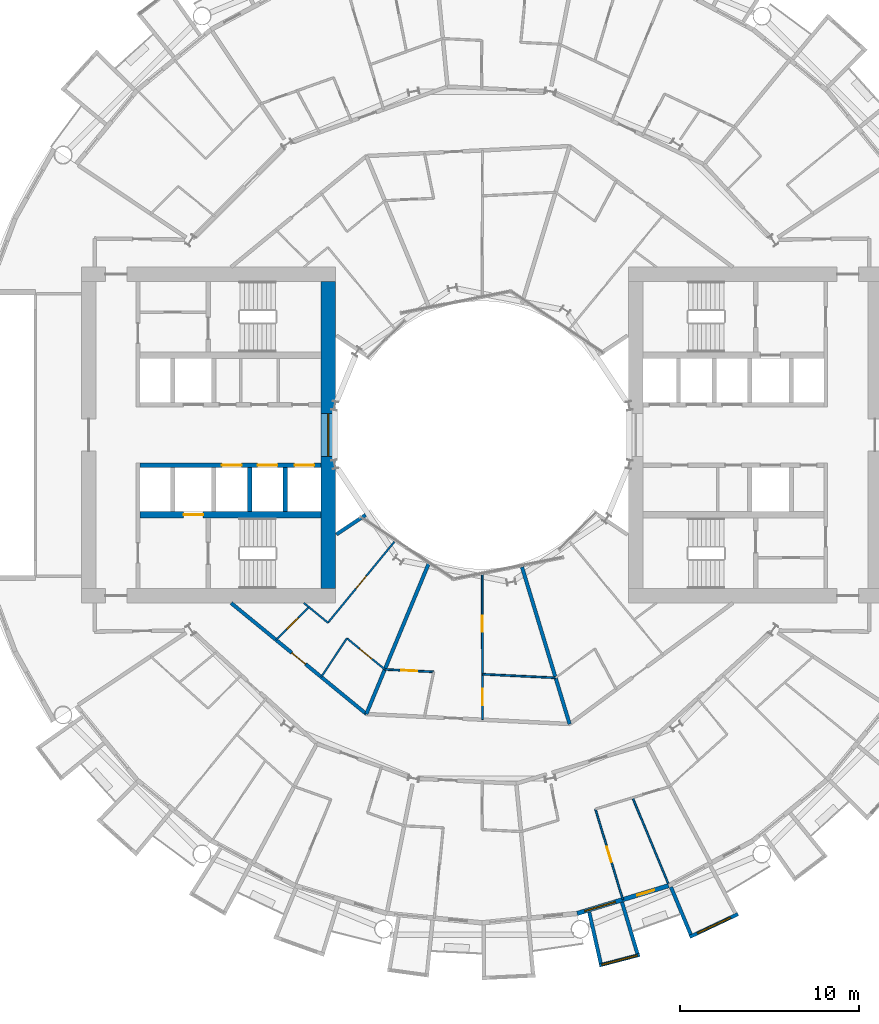
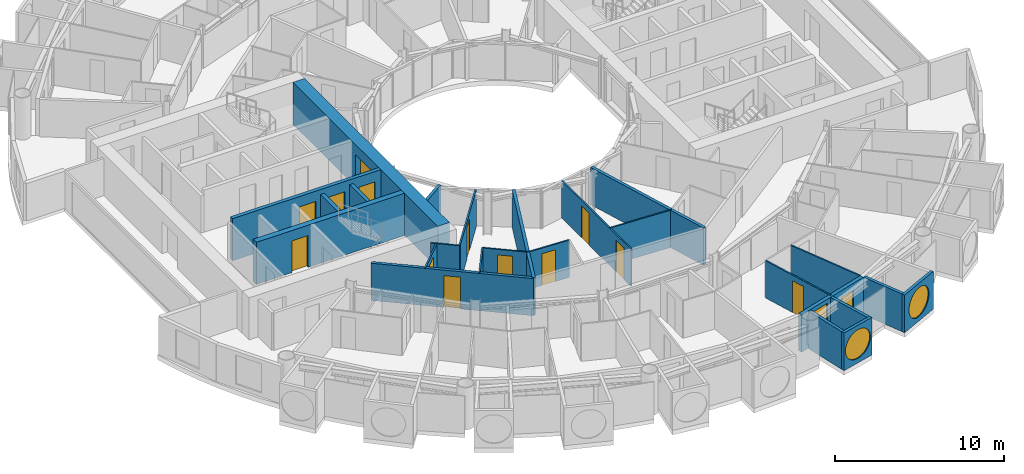
# One storey, part 15 of 26: 25 walls, 13 doors, 4 windows, 17 openings.
"""IFC4 building model written with IfcOpenShell, lengths in metres."""

from ifc_helpers import new_model, si_unit, direction, frame, frame_2d, origin, place, context, subcontext, project, spatial, rectangle, circle, extrude, material, layer, layer_set, type_object, element, fill, save


model = new_model("IFC4")

# Units and contexts
model_context = context("Model", 3, precision=1e-05, world=origin(), true_north=direction((0.0, 1.0)))
body_context = subcontext(model_context, "Body", "Model", "MODEL_VIEW")
ifc_project = project(units=[si_unit("LENGTHUNIT", "METRE"), si_unit("AREAUNIT", "SQUARE_METRE"), si_unit("VOLUMEUNIT", "CUBIC_METRE"), si_unit("PLANEANGLEUNIT", "RADIAN"), si_unit("MASSUNIT", "GRAM", prefix="KILO")], contexts=[model_context])

# Site, building, storey
site_placement = place(None, origin())
site = spatial("IfcSite", under=ifc_project, at=site_placement, CompositionType="ELEMENT")
building_placement = place(site_placement, origin())
building = spatial("IfcBuilding", under=site, at=building_placement, Name="Maasbend Ring Residences", CompositionType="ELEMENT")
storey_placement = place(building_placement, frame((0.0, 0.0, 44.14990234375)))
storey = spatial("IfcBuildingStorey", under=building, at=storey_placement, Name="L12", CompositionType="ELEMENT", Elevation=44.14990234375)

# Wall, openings, doors
ifc_material_1 = material(Name="Concrete C70/85", Category="concrete")
ifc_layer_1 = layer(ifc_material_1, 0.25)
ifc_layer_set_1 = layer_set([ifc_layer_1], Name="Concrete C70/85")
wall_type_1 = type_object("IfcWallType", Name="CORE WALL 250 C70/85", PredefinedType="SHEAR", material=ifc_layer_set_1)
wall_1_placement = place(storey_placement, frame((-9.0, -1.699951171875, 0.0), z_axis=(0.0, 0.0, 1.0), x_axis=(-1.0, 0.0, 0.0)))
wall_1 = element("IfcWall", 1, at=wall_1_placement, inside=storey, type_object=wall_type_1, Name="L12 core W wall SPN", PredefinedType="SHEAR", context=body_context, shape_type="SweptSolid", body=[
    extrude(rectangle(XDim=10.14990234375, YDim=0.25, at=frame_2d((5.074951171875, 0.0))), origin(), (0.0, 0.0, 1.0), 3.050048828125),
])
opening_1_placement = place(wall_1_placement, frame((0.387451171875, 0.0, 0.0)))
opening_1 = element("IfcOpeningElement", 2, at=opening_1_placement, cuts=wall_1, Name="Opening LD-W1201", PredefinedType="OPENING", context=body_context, shape_type="SweptSolid", body=[
    extrude(rectangle(XDim=1.10009765625, YDim=2.300048828125, at=frame_2d((0.550048828125, 1.14990234375))), frame((0.0, 0.135009765625, 0.0), z_axis=(0.0, -1.0, 0.0), x_axis=(1.0, 0.0, 0.0)), (0.0, 0.0, 1.0), 0.27001953125),
])
opening_2_placement = place(wall_1_placement, frame((2.449951171875, 0.0, 0.0)))
opening_2 = element("IfcOpeningElement", 3, at=opening_2_placement, cuts=wall_1, Name="Opening LD-W1202", PredefinedType="OPENING", context=body_context, shape_type="SweptSolid", body=[
    extrude(rectangle(XDim=1.10009765625, YDim=2.300048828125, at=frame_2d((0.550048828125, 1.14990234375))), frame((0.0, 0.135009765625, 0.0), z_axis=(0.0, -1.0, 0.0), x_axis=(1.0, 0.0, 0.0)), (0.0, 0.0, 1.0), 0.27001953125),
])
opening_3_placement = place(wall_1_placement, frame((4.449951171875, 0.0, 0.0)))
opening_3 = element("IfcOpeningElement", 4, at=opening_3_placement, cuts=wall_1, Name="Opening LD-W1203", PredefinedType="OPENING", context=body_context, shape_type="SweptSolid", body=[
    extrude(rectangle(XDim=1.10009765625, YDim=2.300048828125, at=frame_2d((0.550048828125, 1.14990234375))), frame((0.0, 0.135009765625, 0.0), z_axis=(0.0, -1.0, 0.0), x_axis=(1.0, 0.0, 0.0)), (0.0, 0.0, 1.0), 0.27001953125),
])
ifc_material_2 = material(Name="Stainless steel 316", Category="steel")
door_type_1 = type_object("IfcDoorType", Name="LANDING DOOR 1100 X 2300 FD60", OperationType="DOUBLE_DOOR_SLIDING", PredefinedType="DOOR", material=ifc_material_2)
door_1_placement = place(opening_1_placement, origin())
door_1 = element("IfcDoor", 5, at=door_1_placement, inside=storey, type_object=door_type_1, Name="Landing door LR-W1 L12", OperationType="DOUBLE_DOOR_SLIDING", OverallHeight=2.300048828125, OverallWidth=1.10009765625, PredefinedType="DOOR", context=body_context, shape_type="SweptSolid", body=[
    extrude(rectangle(XDim=1.10009765625, YDim=2.300048828125, at=frame_2d((0.550048828125, 1.14990234375))), frame((0.0, 0.02490234375, 0.0), z_axis=(0.0, -1.0, 0.0), x_axis=(1.0, 0.0, 0.0)), (0.0, 0.0, 1.0), 0.050048828125),
])
fill(opening_1, door_1)
door_2_placement = place(opening_2_placement, origin())
door_2 = element("IfcDoor", 6, at=door_2_placement, inside=storey, type_object=door_type_1, Name="Landing door LR-W2 L12", OperationType="DOUBLE_DOOR_SLIDING", OverallHeight=2.300048828125, OverallWidth=1.10009765625, PredefinedType="DOOR", context=body_context, shape_type="SweptSolid", body=[
    extrude(rectangle(XDim=1.10009765625, YDim=2.300048828125, at=frame_2d((0.550048828125, 1.14990234375))), frame((0.0, 0.02490234375, 0.0), z_axis=(0.0, -1.0, 0.0), x_axis=(1.0, 0.0, 0.0)), (0.0, 0.0, 1.0), 0.050048828125),
])
fill(opening_2, door_2)
door_3_placement = place(opening_3_placement, origin())
door_3 = element("IfcDoor", 7, at=door_3_placement, inside=storey, type_object=door_type_1, Name="Landing door LR-W3 L12", OperationType="DOUBLE_DOOR_SLIDING", OverallHeight=2.300048828125, OverallWidth=1.10009765625, PredefinedType="DOOR", context=body_context, shape_type="SweptSolid", body=[
    extrude(rectangle(XDim=1.10009765625, YDim=2.300048828125, at=frame_2d((0.550048828125, 1.14990234375))), frame((0.0, 0.02490234375, 0.0), z_axis=(0.0, -1.0, 0.0), x_axis=(1.0, 0.0, 0.0)), (0.0, 0.0, 1.0), 0.050048828125),
])
fill(opening_3, door_3)

# Wall, opening, door
ifc_material_3 = material(Name="Concrete C70/85", Category="concrete")
ifc_layer_2 = layer(ifc_material_3, 0.375)
ifc_layer_set_2 = layer_set([ifc_layer_2], Name="Concrete C70/85")
wall_type_2 = type_object("IfcWallType", Name="CORE WALL 375 C70/85", PredefinedType="SHEAR", material=ifc_layer_set_2)
wall_2_placement = place(storey_placement, frame((-9.0, -4.46240234375, 0.0), z_axis=(0.0, 0.0, 1.0), x_axis=(-1.0, 0.0, 0.0)))
wall_2 = element("IfcWall", 8, at=wall_2_placement, inside=storey, type_object=wall_type_2, Name="L12 core W wall BN", PredefinedType="SHEAR", context=body_context, shape_type="SweptSolid", body=[
    extrude(rectangle(XDim=10.14990234375, YDim=0.375, at=frame_2d((5.074951171875, 0.0))), origin(), (0.0, 0.0, 1.0), 3.050048828125),
])
opening_4_placement = place(wall_2_placement, frame((6.60009765625, 0.0, 0.0)))
opening_4 = element("IfcOpeningElement", 9, at=opening_4_placement, cuts=wall_2, Name="Opening LD-W1204", PredefinedType="OPENING", context=body_context, shape_type="SweptSolid", body=[
    extrude(rectangle(XDim=1.10009765625, YDim=2.300048828125, at=frame_2d((0.550048828125, 1.14990234375))), frame((0.0, 0.197509765625, 0.0), z_axis=(0.0, -1.0, 0.0), x_axis=(1.0, 0.0, 0.0)), (0.0, 0.0, 1.0), 0.39501953125),
])
door_4_placement = place(opening_4_placement, origin())
door_4 = element("IfcDoor", 10, at=door_4_placement, inside=storey, type_object=door_type_1, Name="Landing door FF-W L12", OperationType="DOUBLE_DOOR_SLIDING", OverallHeight=2.300048828125, OverallWidth=1.10009765625, PredefinedType="DOOR", context=body_context, shape_type="SweptSolid", body=[
    extrude(rectangle(XDim=1.10009765625, YDim=2.300048828125, at=frame_2d((0.550048828125, 1.14990234375))), frame((0.0, 0.02490234375, 0.0), z_axis=(0.0, -1.0, 0.0), x_axis=(1.0, 0.0, 0.0)), (0.0, 0.0, 1.0), 0.050048828125),
])
fill(opening_4, door_4)

# Wall, opening, window
ifc_material_4 = material(Name="Concrete C70/85", Category="concrete")
ifc_layer_3 = layer(ifc_material_4, 0.800048828125)
ifc_layer_set_3 = layer_set([ifc_layer_3], Name="Concrete C70/85")
wall_type_3 = type_object("IfcWallType", Name="CORE WALL 800 C70/85", PredefinedType="SHEAR", material=ifc_layer_set_3)
wall_3_placement = place(storey_placement, frame((-8.60009765625, 8.60009765625, 0.0), z_axis=(0.0, 0.0, 1.0), x_axis=(0.0, -1.0, 0.0)))
wall_3 = element("IfcWall", 11, at=wall_3_placement, inside=storey, type_object=wall_type_3, Name="L12 core W wall PIN", PredefinedType="SHEAR", context=body_context, shape_type="SweptSolid", body=[
    extrude(rectangle(XDim=17.2001953125, YDim=0.800048828125, at=frame_2d((8.60009765625, 0.0))), origin(), (0.0, 0.0, 1.0), 3.050048828125),
])
opening_5_placement = place(wall_3_placement, frame((7.39990234375, 0.0, 0.10009765625)))
opening_5 = element("IfcOpeningElement", 12, at=opening_5_placement, cuts=wall_3, Name="Opening W-W1201", PredefinedType="OPENING", context=body_context, shape_type="SweptSolid", body=[
    extrude(rectangle(XDim=2.39990234375, YDim=2.199951171875, at=frame_2d((1.199951171875, 1.10009765625))), frame((0.0, 0.41015625, 0.0), z_axis=(0.0, -1.0, 0.0), x_axis=(1.0, 0.0, 0.0)), (0.0, 0.0, 1.0), 0.820068359375),
])
ifc_material_5 = material(Name="Aluminium frame and clear glass", Category="aluminium")
window_type_1 = type_object("IfcWindowType", Name="FIXED WINDOW 2400 X 2200", PartitioningType="SINGLE_PANEL", PredefinedType="WINDOW", material=ifc_material_5)
window_1_placement = place(opening_5_placement, origin())
window_1 = element("IfcWindow", 13, at=window_1_placement, inside=storey, type_object=window_type_1, Name="Lobby window L12", OverallHeight=2.199951171875, OverallWidth=2.39990234375, PartitioningType="SINGLE_PANEL", PredefinedType="WINDOW", context=body_context, shape_type="SweptSolid", body=[
    extrude(rectangle(XDim=2.39990234375, YDim=2.199951171875, at=frame_2d((1.199951171875, 1.10009765625))), frame((0.0, 0.030029296875, 0.0), z_axis=(0.0, -1.0, 0.0), x_axis=(1.0, 0.0, 0.0)), (0.0, 0.0, 1.0), 0.06005859375),
])
fill(opening_5, window_1)

# Wall, opening, door
ifc_material_6 = material(Name="Concrete C30/37", Category="concrete")
ifc_layer_4 = layer(ifc_material_6, 0.199951171875)
ifc_layer_set_4 = layer_set([ifc_layer_4], Name="Concrete C30/37")
wall_type_4 = type_object("IfcWallType", Name="CORRIDOR WALL 200 CONCRETE", PredefinedType="PARTITIONING", material=ifc_layer_set_4)
wall_4_placement = place(storey_placement, frame((-14.0380859375, -9.402099609375, 0.0), z_axis=(0.0, 0.0, 1.0), x_axis=(0.773084654695, -0.634302858794, 0.0)))
wall_4 = element("IfcWall", 14, at=wall_4_placement, inside=storey, type_object=wall_type_4, Name="U-L12-w019", PredefinedType="PARTITIONING", context=body_context, shape_type="SweptSolid", body=[
    extrude(rectangle(XDim=9.793212890625, YDim=0.199951171875, at=frame_2d((4.896484375, 0.0))), origin(), (0.0, 0.0, 1.0), 2.7001953125),
])
opening_6_placement = place(wall_4_placement, frame((4.386962890625, 0.0, 0.0)))
opening_6 = element("IfcOpeningElement", 15, at=opening_6_placement, cuts=wall_4, Name="Opening D-1257", PredefinedType="OPENING", context=body_context, shape_type="SweptSolid", body=[
    extrude(rectangle(XDim=1.0, YDim=2.300048828125, at=frame_2d((0.5, 1.14990234375))), frame((0.0, 0.10986328125, 0.0), z_axis=(0.0, -1.0, 0.0), x_axis=(1.0, 0.0, 0.0)), (0.0, 0.0, 1.0), 0.219970703125),
])
ifc_material_7 = material(Name="Timber, fire-rated, painted", Category="wood")
door_type_2 = type_object("IfcDoorType", Name="FLAT ENTRANCE DOOR 1000 X 2300 FIRE-RATED", OperationType="NOTDEFINED", PredefinedType="DOOR", material=ifc_material_7)
door_5_placement = place(opening_6_placement, origin())
door_5 = element("IfcDoor", 16, at=door_5_placement, inside=storey, type_object=door_type_2, Name="D-1257", OperationType="SINGLE_SWING_LEFT", OverallHeight=2.300048828125, OverallWidth=1.0, PredefinedType="DOOR", context=body_context, shape_type="SweptSolid", body=[
    extrude(rectangle(XDim=1.0, YDim=2.300048828125, at=frame_2d((0.5, 1.14990234375))), frame((0.0, 0.02490234375, 0.0), z_axis=(0.0, -1.0, 0.0), x_axis=(1.0, 0.0, 0.0)), (0.0, 0.0, 1.0), 0.050048828125),
])
fill(opening_6, door_5)

# Wall, opening, window
ifc_material_8 = material(Name="Pale anodised aluminium panel", Category="aluminium")
ifc_layer_5 = layer(ifc_material_8, 0.199951171875)
ifc_layer_set_5 = layer_set([ifc_layer_5], Name="EW-BOX")
wall_type_5 = type_object("IfcWallType", Name="EW-BOX", PredefinedType="SOLIDWALL", material=ifc_layer_set_5)
wall_5_placement = place(storey_placement, frame((6.568115234375, -29.681884765625, -0.02978515625), z_axis=(0.0, 0.0, 1.0), x_axis=(0.967377102346, 0.253340762326, 0.0)))
wall_5 = element("IfcWall", 17, at=wall_5_placement, inside=storey, type_object=wall_type_5, Name="Box front S13", PredefinedType="SOLIDWALL", context=body_context, shape_type="SweptSolid", body=[
    extrude(rectangle(XDim=2.3359375, YDim=0.199951171875, at=frame_2d((1.16796875, 0.0))), origin(), (0.0, 0.0, 1.0), 2.72998046875),
])
opening_7_placement = place(wall_5_placement, frame((0.128173828125, 0.0, 0.330078125)))
opening_7 = element("IfcOpeningElement", 18, at=opening_7_placement, cuts=wall_5, Name="Opening W-RD", PredefinedType="OPENING", context=body_context, shape_type="SweptSolid", body=[
    extrude(circle(Radius=1.0400390625, at=frame_2d((1.0400390625, 1.0400390625))), frame((0.0, 0.10986328125, 0.0), z_axis=(0.0, -1.0, 0.0), x_axis=(1.0, 0.0, 0.0)), (0.0, 0.0, 1.0), 0.219970703125),
])
ifc_material_9 = material(Name="Aluminium and clear glass", Category="aluminium")
window_type_2 = type_object("IfcWindowType", Name="W-RD", PartitioningType="SINGLE_PANEL", PredefinedType="WINDOW", material=ifc_material_9)
window_2_placement = place(opening_7_placement, origin())
window_2 = element("IfcWindow", 19, at=window_2_placement, inside=storey, type_object=window_type_2, Name="Round window S13", OverallHeight=2.080078125, OverallWidth=2.080078125, PartitioningType="SINGLE_PANEL", PredefinedType="WINDOW", context=body_context, shape_type="SweptSolid", body=[
    extrude(circle(Radius=1.0400390625, at=frame_2d((1.0400390625, 1.0400390625))), frame((0.0, 0.030029296875, 0.0), z_axis=(0.0, -1.0, 0.0), x_axis=(1.0, 0.0, 0.0)), (0.0, 0.0, 1.0), 0.06005859375),
])
fill(opening_7, window_2)

# Walls
wall_6_placement = place(storey_placement, frame((6.00390625, -26.699951171875, -0.02978515625), z_axis=(0.0, 0.0, 1.0), x_axis=(0.219609259383, -0.975587911566, 0.0)))
element("IfcWall", 20, at=wall_6_placement, inside=storey, type_object=wall_type_5, Name="Box side wall S13 left", PredefinedType="SOLIDWALL", context=body_context, shape_type="SweptSolid", body=[
    extrude(rectangle(XDim=2.9326171875, YDim=0.199951171875, at=frame_2d((1.46630859375, 0.0))), origin(), (0.0, 0.0, 1.0), 2.72998046875),
])
wall_7_placement = place(storey_placement, frame((7.8369140625, -26.14404296875, -0.02978515625), z_axis=(0.0, 0.0, 1.0), x_axis=(0.287064767992, -0.957911174889, 0.0)))
element("IfcWall", 21, at=wall_7_placement, inside=storey, type_object=wall_type_5, Name="Box side wall S13 right", PredefinedType="SOLIDWALL", context=body_context, shape_type="SweptSolid", body=[
    extrude(rectangle(XDim=3.00634765625, YDim=0.199951171875, at=frame_2d((1.503173828125, 0.0))), origin(), (0.0, 0.0, 1.0), 2.72998046875),
])

# Wall, opening, window
wall_8_placement = place(storey_placement, frame((11.62890625, -28.087890625, -0.02978515625), z_axis=(0.0, 0.0, 1.0), x_axis=(0.904000060331, 0.427532327342, 0.0)))
wall_8 = element("IfcWall", 22, at=wall_8_placement, inside=storey, type_object=wall_type_5, Name="Box front S15", PredefinedType="SOLIDWALL", context=body_context, shape_type="SweptSolid", body=[
    extrude(rectangle(XDim=2.993408203125, YDim=0.199951171875, at=frame_2d((1.49658203125, 0.0))), origin(), (0.0, 0.0, 1.0), 2.72998046875),
])
opening_8_placement = place(wall_8_placement, frame((0.45654296875, 0.0, 0.330078125)))
opening_8 = element("IfcOpeningElement", 23, at=opening_8_placement, cuts=wall_8, Name="Opening W-RD", PredefinedType="OPENING", context=body_context, shape_type="SweptSolid", body=[
    extrude(circle(Radius=1.0400390625, at=frame_2d((1.0400390625, 1.0400390625))), frame((0.0, 0.10986328125, 0.0), z_axis=(0.0, -1.0, 0.0), x_axis=(1.0, 0.0, 0.0)), (0.0, 0.0, 1.0), 0.219970703125),
])
window_3_placement = place(opening_8_placement, origin())
window_3 = element("IfcWindow", 24, at=window_3_placement, inside=storey, type_object=window_type_2, Name="Round window S15", OverallHeight=2.080078125, OverallWidth=2.080078125, PartitioningType="SINGLE_PANEL", PredefinedType="WINDOW", context=body_context, shape_type="SweptSolid", body=[
    extrude(circle(Radius=1.0400390625, at=frame_2d((1.0400390625, 1.0400390625))), frame((0.0, 0.030029296875, 0.0), z_axis=(0.0, -1.0, 0.0), x_axis=(1.0, 0.0, 0.0)), (0.0, 0.0, 1.0), 0.06005859375),
])
fill(opening_8, window_3)

# Wall
wall_9_placement = place(storey_placement, frame((10.574951171875, -25.294921875, -0.02978515625), z_axis=(0.0, 0.0, 1.0), x_axis=(0.385697364644, -0.922625353492, 0.0)))
element("IfcWall", 25, at=wall_9_placement, inside=storey, type_object=wall_type_5, Name="Box side wall S15 left", PredefinedType="SOLIDWALL", context=body_context, shape_type="SweptSolid", body=[
    extrude(rectangle(XDim=2.88330078125, YDim=0.199951171875, at=frame_2d((1.441650390625, 0.0))), origin(), (0.0, 0.0, 1.0), 2.72998046875),
])

# Wall, openings, door, window
ifc_material_10 = material(Name="Aluminium clad insulated panel", Category="aluminium")
ifc_layer_6 = layer(ifc_material_10, 0.25)
ifc_layer_set_6 = layer_set([ifc_layer_6], Name="EW-GL")
wall_type_6 = type_object("IfcWallType", Name="EW-GL", PredefinedType="SOLIDWALL", material=ifc_layer_set_6)
wall_10_placement = place(storey_placement, frame((5.325927734375, -26.77490234375, 0.0), z_axis=(0.0, 0.0, 1.0), x_axis=(0.956965678721, 0.290201119486, 0.0)))
wall_10 = element("IfcWall", 26, at=wall_10_placement, inside=storey, type_object=wall_type_6, Name="External wall S07", PredefinedType="SOLIDWALL", context=body_context, shape_type="SweptSolid", body=[
    extrude(rectangle(XDim=5.351318359375, YDim=0.25, at=frame_2d((2.67578125, 0.0))), origin(), (0.0, 0.0, 1.0), 2.7001953125),
])
opening_9_placement = place(wall_10_placement, frame((0.441162109375, 0.0, 0.300048828125)))
opening_9 = element("IfcOpeningElement", 27, at=opening_9_placement, cuts=wall_10, Name="Opening W-BX", PredefinedType="OPENING", context=body_context, shape_type="SweptSolid", body=[
    extrude(rectangle(XDim=1.800048828125, YDim=2.10009765625, at=frame_2d((0.89990234375, 1.050048828125))), frame((0.0, 0.135009765625, 0.0), z_axis=(0.0, -1.0, 0.0), x_axis=(1.0, 0.0, 0.0)), (0.0, 0.0, 1.0), 0.27001953125),
])
opening_10_placement = place(wall_10_placement, frame((3.510498046875, 0.0, 0.0)))
opening_10 = element("IfcOpeningElement", 28, at=opening_10_placement, cuts=wall_10, Name="Opening D-LG", PredefinedType="OPENING", context=body_context, shape_type="SweptSolid", body=[
    extrude(rectangle(XDim=1.0, YDim=2.199951171875, at=frame_2d((0.5, 1.10009765625))), frame((0.0, 0.135009765625, 0.0), z_axis=(0.0, -1.0, 0.0), x_axis=(1.0, 0.0, 0.0)), (0.0, 0.0, 1.0), 0.27001953125),
])
ifc_material_11 = material(Name="Aluminium and clear glass", Category="aluminium")
door_type_3 = type_object("IfcDoorType", Name="D-LG", OperationType="SINGLE_SWING_LEFT", PredefinedType="DOOR", material=ifc_material_11)
door_6_placement = place(opening_10_placement, origin())
door_6 = element("IfcDoor", 29, at=door_6_placement, inside=storey, type_object=door_type_3, Name="Loggia door S14", OperationType="SINGLE_SWING_LEFT", OverallHeight=2.199951171875, OverallWidth=1.0, PredefinedType="DOOR", context=body_context, shape_type="SweptSolid", body=[
    extrude(rectangle(XDim=1.0, YDim=2.199951171875, at=frame_2d((0.5, 1.10009765625))), frame((0.0, 0.02490234375, 0.0), z_axis=(0.0, -1.0, 0.0), x_axis=(1.0, 0.0, 0.0)), (0.0, 0.0, 1.0), 0.050048828125),
])
fill(opening_10, door_6)
ifc_material_12 = material(Name="Aluminium and clear glass", Category="aluminium")
window_type_3 = type_object("IfcWindowType", Name="W-BX", PartitioningType="DOUBLE_PANEL_VERTICAL", PredefinedType="WINDOW", material=ifc_material_12)
window_4_placement = place(opening_9_placement, origin())
window_4 = element("IfcWindow", 30, at=window_4_placement, inside=storey, type_object=window_type_3, Name="Window S13 room to box", OverallHeight=2.10009765625, OverallWidth=1.800048828125, PartitioningType="SINGLE_PANEL", PredefinedType="WINDOW", context=body_context, shape_type="SweptSolid", body=[
    extrude(rectangle(XDim=1.800048828125, YDim=2.10009765625, at=frame_2d((0.89990234375, 1.050048828125))), frame((0.0, 0.030029296875, 0.0), z_axis=(0.0, -1.0, 0.0), x_axis=(1.0, 0.0, 0.0)), (0.0, 0.0, 1.0), 0.06005859375),
])
fill(opening_9, window_4)

# Wall
ifc_material_13 = material(Name="Gypsum board on steel studs", Category="steel")
ifc_layer_7 = layer(ifc_material_13, 0.10009765625)
ifc_layer_set_7 = layer_set([ifc_layer_7], Name="PARTITION 100 GYPSUM")
wall_type_7 = type_object("IfcWallType", Name="PARTITION 100 GYPSUM", PredefinedType="PARTITIONING", material=ifc_layer_set_7)
wall_11_placement = place(storey_placement, frame((-9.970947265625, -9.39599609375, 0.0), z_axis=(0.0, 0.0, 1.0), x_axis=(0.77321028337, -0.634149712363, 0.0)))
element("IfcWall", 31, at=wall_11_placement, inside=storey, type_object=wall_type_7, Name="U-L12-w022", PredefinedType="PARTITIONING", context=body_context, shape_type="SweptSolid", body=[
    extrude(rectangle(XDim=1.74853515625, YDim=0.10009765625, at=frame_2d((0.874267578125, 0.0))), origin(), (0.0, 0.0, 1.0), 2.7001953125),
])

# Wall, opening, door
wall_12_placement = place(storey_placement, frame((-7.55810546875, -11.3759765625, 0.0), z_axis=(0.0, 0.0, 1.0), x_axis=(0.773049907698, -0.634345205868, 0.0)))
wall_12 = element("IfcWall", 32, at=wall_12_placement, inside=storey, type_object=wall_type_7, Name="U-L12-w023", PredefinedType="PARTITIONING", context=body_context, shape_type="SweptSolid", body=[
    extrude(rectangle(XDim=2.74755859375, YDim=0.10009765625, at=frame_2d((1.373779296875, 0.0))), origin(), (0.0, 0.0, 1.0), 2.7001953125),
])
opening_11_placement = place(wall_12_placement, frame((0.924072265625, 0.0, 0.0)))
opening_11 = element("IfcOpeningElement", 33, at=opening_11_placement, cuts=wall_12, Name="Opening D-1258", PredefinedType="OPENING", context=body_context, shape_type="SweptSolid", body=[
    extrude(rectangle(XDim=0.89990234375, YDim=2.300048828125, at=frame_2d((0.449951171875, 1.14990234375))), frame((0.0, 0.06005859375, 0.0), z_axis=(0.0, -1.0, 0.0), x_axis=(1.0, 0.0, 0.0)), (0.0, 0.0, 1.0), 0.1201171875),
])
ifc_material_14 = material(Name="Timber, painted", Category="wood")
door_type_4 = type_object("IfcDoorType", Name="INTERNAL DOOR 900 X 2300", OperationType="NOTDEFINED", PredefinedType="DOOR", material=ifc_material_14)
door_7_placement = place(opening_11_placement, origin())
door_7 = element("IfcDoor", 34, at=door_7_placement, inside=storey, type_object=door_type_4, Name="D-1258", OperationType="SINGLE_SWING_LEFT", OverallHeight=2.300048828125, OverallWidth=0.89990234375, PredefinedType="DOOR", context=body_context, shape_type="SweptSolid", body=[
    extrude(rectangle(XDim=0.89990234375, YDim=2.300048828125, at=frame_2d((0.449951171875, 1.14990234375))), frame((0.0, 0.02490234375, 0.0), z_axis=(0.0, -1.0, 0.0), x_axis=(1.0, 0.0, 0.0)), (0.0, 0.0, 1.0), 0.050048828125),
])
fill(opening_11, door_7)

wall_13_placement = place(storey_placement, frame((-5.43408203125, -13.118896484375, 0.0), z_axis=(0.0, 0.0, 1.0), x_axis=(0.998796928508, -0.049037695739, 0.0)))
wall_13 = element("IfcWall", 35, at=wall_13_placement, inside=storey, type_object=wall_type_7, Name="U-L12-w024", PredefinedType="PARTITIONING", context=body_context, shape_type="SweptSolid", body=[
    extrude(rectangle(XDim=2.733154296875, YDim=0.10009765625, at=frame_2d((1.36669921875, 0.0))), origin(), (0.0, 0.0, 1.0), 2.7001953125),
])
opening_12_placement = place(wall_13_placement, frame((0.9169921875, 0.0, 0.0)))
opening_12 = element("IfcOpeningElement", 36, at=opening_12_placement, cuts=wall_13, Name="Opening D-1262", PredefinedType="OPENING", context=body_context, shape_type="SweptSolid", body=[
    extrude(rectangle(XDim=0.89990234375, YDim=2.300048828125, at=frame_2d((0.449951171875, 1.14990234375))), frame((0.0, 0.06005859375, 0.0), z_axis=(0.0, -1.0, 0.0), x_axis=(1.0, 0.0, 0.0)), (0.0, 0.0, 1.0), 0.1201171875),
])
door_8_placement = place(opening_12_placement, origin())
door_8 = element("IfcDoor", 37, at=door_8_placement, inside=storey, type_object=door_type_4, Name="D-1262", OperationType="SINGLE_SWING_LEFT", OverallHeight=2.300048828125, OverallWidth=0.89990234375, PredefinedType="DOOR", context=body_context, shape_type="SweptSolid", body=[
    extrude(rectangle(XDim=0.89990234375, YDim=2.300048828125, at=frame_2d((0.449951171875, 1.14990234375))), frame((0.0, 0.02490234375, 0.0), z_axis=(0.0, -1.0, 0.0), x_axis=(1.0, 0.0, 0.0)), (0.0, 0.0, 1.0), 0.050048828125),
])
fill(opening_12, door_8)

# Wall
wall_14_placement = place(storey_placement, frame((0.030029296875, -13.386962890625, 0.0), z_axis=(0.0, 0.0, 1.0), x_axis=(0.998798386358, -0.049007993321, 0.0)))
element("IfcWall", 38, at=wall_14_placement, inside=storey, type_object=wall_type_7, Name="U-L12-w025", PredefinedType="PARTITIONING", context=body_context, shape_type="SweptSolid", body=[
    extrude(rectangle(XDim=4.099853515625, YDim=0.10009765625, at=frame_2d((2.0498046875, 0.0))), origin(), (0.0, 0.0, 1.0), 2.7001953125),
])

# Wall, opening, door
wall_15_placement = place(storey_placement, frame((-11.52392578125, -11.464111328125, 0.0), z_axis=(0.0, 0.0, 1.0), x_axis=(0.708796844581, 0.705412668665, 0.0)))
wall_15 = element("IfcWall", 39, at=wall_15_placement, inside=storey, type_object=wall_type_7, Name="U-L12-w043", PredefinedType="PARTITIONING", context=body_context, shape_type="SweptSolid", body=[
    extrude(rectangle(XDim=2.59716796875, YDim=0.10009765625, at=frame_2d((1.298583984375, 0.0))), origin(), (0.0, 0.0, 1.0), 2.7001953125),
])
opening_13_placement = place(wall_15_placement, frame((0.84912109375, 0.0, 0.0)))
opening_13 = element("IfcOpeningElement", 40, at=opening_13_placement, cuts=wall_15, Name="Opening D-1259", PredefinedType="OPENING", context=body_context, shape_type="SweptSolid", body=[
    extrude(rectangle(XDim=0.89990234375, YDim=2.300048828125, at=frame_2d((0.449951171875, 1.14990234375))), frame((0.0, 0.06005859375, 0.0), z_axis=(0.0, -1.0, 0.0), x_axis=(1.0, 0.0, 0.0)), (0.0, 0.0, 1.0), 0.1201171875),
])
door_9_placement = place(opening_13_placement, origin())
door_9 = element("IfcDoor", 41, at=door_9_placement, inside=storey, type_object=door_type_4, Name="D-1259", OperationType="SINGLE_SWING_RIGHT", OverallHeight=2.300048828125, OverallWidth=0.89990234375, PredefinedType="DOOR", context=body_context, shape_type="SweptSolid", body=[
    extrude(rectangle(XDim=0.89990234375, YDim=2.300048828125, at=frame_2d((0.449951171875, 1.14990234375))), frame((0.0, 0.02490234375, 0.0), z_axis=(0.0, -1.0, 0.0), x_axis=(1.0, 0.0, 0.0)), (0.0, 0.0, 1.0), 0.050048828125),
])
fill(opening_13, door_9)

# Wall
wall_16_placement = place(storey_placement, frame((-8.99609375, -13.5390625, 0.0), z_axis=(0.0, 0.0, 1.0), x_axis=(0.553615197403, 0.83277260594, 0.0)))
element("IfcWall", 42, at=wall_16_placement, inside=storey, type_object=wall_type_7, Name="U-L12-w047", PredefinedType="PARTITIONING", context=body_context, shape_type="SweptSolid", body=[
    extrude(rectangle(XDim=2.597412109375, YDim=0.10009765625, at=frame_2d((1.298828125, 0.0))), origin(), (0.0, 0.0, 1.0), 2.7001953125),
])

# Wall, opening, door
wall_17_placement = place(storey_placement, frame((-8.6201171875, -10.50390625, 0.0), z_axis=(0.0, 0.0, 1.0), x_axis=(0.634358693064, 0.773038840249, 0.0)))
wall_17 = element("IfcWall", 43, at=wall_17_placement, inside=storey, type_object=wall_type_7, Name="U-L12-w049", PredefinedType="PARTITIONING", context=body_context, shape_type="SweptSolid", body=[
    extrude(rectangle(XDim=5.86767578125, YDim=0.10009765625, at=frame_2d((2.933837890625, 0.0))), origin(), (0.0, 0.0, 1.0), 2.7001953125),
])
opening_14_placement = place(wall_17_placement, frame((2.48388671875, 0.0, 0.0)))
opening_14 = element("IfcOpeningElement", 44, at=opening_14_placement, cuts=wall_17, Name="Opening D-1260", PredefinedType="OPENING", context=body_context, shape_type="SweptSolid", body=[
    extrude(rectangle(XDim=0.89990234375, YDim=2.300048828125, at=frame_2d((0.449951171875, 1.14990234375))), frame((0.0, 0.06005859375, 0.0), z_axis=(0.0, -1.0, 0.0), x_axis=(1.0, 0.0, 0.0)), (0.0, 0.0, 1.0), 0.1201171875),
])
door_10_placement = place(opening_14_placement, origin())
door_10 = element("IfcDoor", 45, at=door_10_placement, inside=storey, type_object=door_type_4, Name="D-1260", OperationType="SINGLE_SWING_RIGHT", OverallHeight=2.300048828125, OverallWidth=0.89990234375, PredefinedType="DOOR", context=body_context, shape_type="SweptSolid", body=[
    extrude(rectangle(XDim=0.89990234375, YDim=2.300048828125, at=frame_2d((0.449951171875, 1.14990234375))), frame((0.0, 0.02490234375, 0.0), z_axis=(0.0, -1.0, 0.0), x_axis=(1.0, 0.0, 0.0)), (0.0, 0.0, 1.0), 0.050048828125),
])
fill(opening_14, door_10)

# Wall, openings, doors
wall_18_placement = place(storey_placement, frame((0.031982421875, -15.93310546875, 0.0), z_axis=(0.0, 0.0, 1.0), x_axis=(-0.0019321625, 0.999998133372, 0.0)))
wall_18 = element("IfcWall", 46, at=wall_18_placement, inside=storey, type_object=wall_type_7, Name="U-L12-w065", PredefinedType="PARTITIONING", context=body_context, shape_type="SweptSolid", body=[
    extrude(rectangle(XDim=8.213134765625, YDim=0.10009765625, at=frame_2d((4.1064453125, 0.0))), origin(), (0.0, 0.0, 1.0), 2.7001953125),
])
opening_15_placement = place(wall_18_placement, frame((0.822998046875, 0.0, 0.0)))
opening_15 = element("IfcOpeningElement", 47, at=opening_15_placement, cuts=wall_18, Name="Opening D-1263", PredefinedType="OPENING", context=body_context, shape_type="SweptSolid", body=[
    extrude(rectangle(XDim=0.89990234375, YDim=2.300048828125, at=frame_2d((0.449951171875, 1.14990234375))), frame((0.0, 0.06005859375, 0.0), z_axis=(0.0, -1.0, 0.0), x_axis=(1.0, 0.0, 0.0)), (0.0, 0.0, 1.0), 0.1201171875),
])
opening_16_placement = place(wall_18_placement, frame((4.929931640625, 0.0, 0.0)))
opening_16 = element("IfcOpeningElement", 48, at=opening_16_placement, cuts=wall_18, Name="Opening D-1264", PredefinedType="OPENING", context=body_context, shape_type="SweptSolid", body=[
    extrude(rectangle(XDim=0.89990234375, YDim=2.300048828125, at=frame_2d((0.449951171875, 1.14990234375))), frame((0.0, 0.06005859375, 0.0), z_axis=(0.0, -1.0, 0.0), x_axis=(1.0, 0.0, 0.0)), (0.0, 0.0, 1.0), 0.1201171875),
])
door_11_placement = place(opening_15_placement, origin())
door_11 = element("IfcDoor", 49, at=door_11_placement, inside=storey, type_object=door_type_4, Name="D-1263", OperationType="SINGLE_SWING_LEFT", OverallHeight=2.300048828125, OverallWidth=0.89990234375, PredefinedType="DOOR", context=body_context, shape_type="SweptSolid", body=[
    extrude(rectangle(XDim=0.89990234375, YDim=2.300048828125, at=frame_2d((0.449951171875, 1.14990234375))), frame((0.0, 0.02490234375, 0.0), z_axis=(0.0, -1.0, 0.0), x_axis=(1.0, 0.0, 0.0)), (0.0, 0.0, 1.0), 0.050048828125),
])
fill(opening_15, door_11)
door_12_placement = place(opening_16_placement, origin())
door_12 = element("IfcDoor", 50, at=door_12_placement, inside=storey, type_object=door_type_4, Name="D-1264", OperationType="SINGLE_SWING_RIGHT", OverallHeight=2.300048828125, OverallWidth=0.89990234375, PredefinedType="DOOR", context=body_context, shape_type="SweptSolid", body=[
    extrude(rectangle(XDim=0.89990234375, YDim=2.300048828125, at=frame_2d((0.449951171875, 1.14990234375))), frame((0.0, 0.02490234375, 0.0), z_axis=(0.0, -1.0, 0.0), x_axis=(1.0, 0.0, 0.0)), (0.0, 0.0, 1.0), 0.050048828125),
])
fill(opening_16, door_12)

# Wall, opening, door
wall_19_placement = place(storey_placement, frame((6.34912109375, -20.929931640625, 0.0), z_axis=(0.0, 0.0, 1.0), x_axis=(0.290172218727, -0.956974442438, 0.0)))
wall_19 = element("IfcWall", 51, at=wall_19_placement, inside=storey, type_object=wall_type_7, Name="U-L12-w077", PredefinedType="PARTITIONING", context=body_context, shape_type="SweptSolid", body=[
    extrude(rectangle(XDim=5.30322265625, YDim=0.10009765625, at=frame_2d((2.651611328125, 0.0))), origin(), (0.0, 0.0, 1.0), 2.7001953125),
])
opening_17_placement = place(wall_19_placement, frame((2.201904296875, 0.0, 0.0)))
opening_17 = element("IfcOpeningElement", 52, at=opening_17_placement, cuts=wall_19, Name="Opening D-1249", PredefinedType="OPENING", context=body_context, shape_type="SweptSolid", body=[
    extrude(rectangle(XDim=0.89990234375, YDim=2.300048828125, at=frame_2d((0.449951171875, 1.14990234375))), frame((0.0, 0.06005859375, 0.0), z_axis=(0.0, -1.0, 0.0), x_axis=(1.0, 0.0, 0.0)), (0.0, 0.0, 1.0), 0.1201171875),
])
door_13_placement = place(opening_17_placement, origin())
door_13 = element("IfcDoor", 53, at=door_13_placement, inside=storey, type_object=door_type_4, Name="D-1249", OperationType="SINGLE_SWING_RIGHT", OverallHeight=2.300048828125, OverallWidth=0.89990234375, PredefinedType="DOOR", context=body_context, shape_type="SweptSolid", body=[
    extrude(rectangle(XDim=0.89990234375, YDim=2.300048828125, at=frame_2d((0.449951171875, 1.14990234375))), frame((0.0, 0.02490234375, 0.0), z_axis=(0.0, -1.0, 0.0), x_axis=(1.0, 0.0, 0.0)), (0.0, 0.0, 1.0), 0.050048828125),
])
fill(opening_17, door_13)

# Walls
wall_20_placement = place(storey_placement, frame((8.430908203125, -20.298095703125, 0.0), z_axis=(0.0, 0.0, 1.0), x_axis=(0.383640855682, -0.92348237333, 0.0)))
element("IfcWall", 54, at=wall_20_placement, inside=storey, type_object=wall_type_7, Name="U-L12-w079", PredefinedType="PARTITIONING", context=body_context, shape_type="SweptSolid", body=[
    extrude(rectangle(XDim=5.1953125, YDim=0.10009765625, at=frame_2d((2.59765625, 0.0))), origin(), (0.0, 0.0, 1.0), 2.7001953125),
])
ifc_material_15 = material(Name="Concrete C30/37", Category="concrete")
ifc_layer_8 = layer(ifc_material_15, 0.199951171875)
ifc_layer_set_8 = layer_set([ifc_layer_8], Name="Concrete C30/37")
wall_type_8 = type_object("IfcWallType", Name="PARTY WALL 200 CONCRETE", PredefinedType="PARTITIONING", material=ifc_layer_set_8)
wall_21_placement = place(storey_placement, frame((-6.512939453125, -4.471923828125, 0.0), z_axis=(0.0, 0.0, 1.0), x_axis=(-0.831417956244, -0.555647533996, 0.0)))
element("IfcWall", 55, at=wall_21_placement, inside=storey, type_object=wall_type_8, Name="U-L12-w030", PredefinedType="PARTITIONING", context=body_context, shape_type="SweptSolid", body=[
    extrude(rectangle(XDim=1.9619140625, YDim=0.199951171875, at=frame_2d((0.98095703125, 0.0))), origin(), (0.0, 0.0, 1.0), 2.7001953125),
])
wall_22_placement = place(storey_placement, frame((-6.471923828125, -15.612060546875, 0.0), z_axis=(0.0, 0.0, 1.0), x_axis=(0.382956910161, 0.923766206873, 0.0)))
element("IfcWall", 56, at=wall_22_placement, inside=storey, type_object=wall_type_8, Name="U-L12-w053", PredefinedType="PARTITIONING", context=body_context, shape_type="SweptSolid", body=[
    extrude(rectangle(XDim=9.180908203125, YDim=0.199951171875, at=frame_2d((4.59033203125, 0.0))), origin(), (0.0, 0.0, 1.0), 2.7001953125),
])
wall_23_placement = place(storey_placement, frame((2.241943359375, -7.387939453125, 0.0), z_axis=(0.0, 0.0, 1.0), x_axis=(0.290225889812, -0.956958166736, 0.0)))
element("IfcWall", 57, at=wall_23_placement, inside=storey, type_object=wall_type_8, Name="U-L12-w069", PredefinedType="PARTITIONING", context=body_context, shape_type="SweptSolid", body=[
    extrude(rectangle(XDim=9.17919921875, YDim=0.199951171875, at=frame_2d((4.589599609375, 0.0))), origin(), (0.0, 0.0, 1.0), 2.7001953125),
])
ifc_material_16 = material(Name="Concrete C30/37", Category="concrete")
ifc_layer_9 = layer(ifc_material_16, 0.25)
ifc_layer_set_9 = layer_set([ifc_layer_9], Name="Concrete C30/37")
wall_type_9 = type_object("IfcWallType", Name="SHAFT WALL 250 EI 120", PredefinedType="SOLIDWALL", material=ifc_layer_set_9)
for number, where, z_axis, x_axis, name in (
    (58, (-11.0, -1.824951171875, 0.0), (0.0, 0.0, 1.0), (0.0, -1.0, 0.0), "L12 core W wall D110N"),
    (59, (-13.0, -1.824951171875, 0.0), (0.0, 0.0, 1.0), (0.0, -1.0, 0.0), "L12 core W wall D130N"),
):
    element("IfcWall", number, at=place(storey_placement, frame(where, z_axis=z_axis, x_axis=x_axis)), inside=storey, type_object=wall_type_9, Name=name, PredefinedType="SOLIDWALL", context=body_context, shape_type="SweptSolid", body=[
        extrude(rectangle(XDim=2.449951171875, YDim=0.25, at=frame_2d((1.22509765625, 0.0))), origin(), (0.0, 0.0, 1.0), 2.7001953125),
    ])

save(model, "model.ifc")
